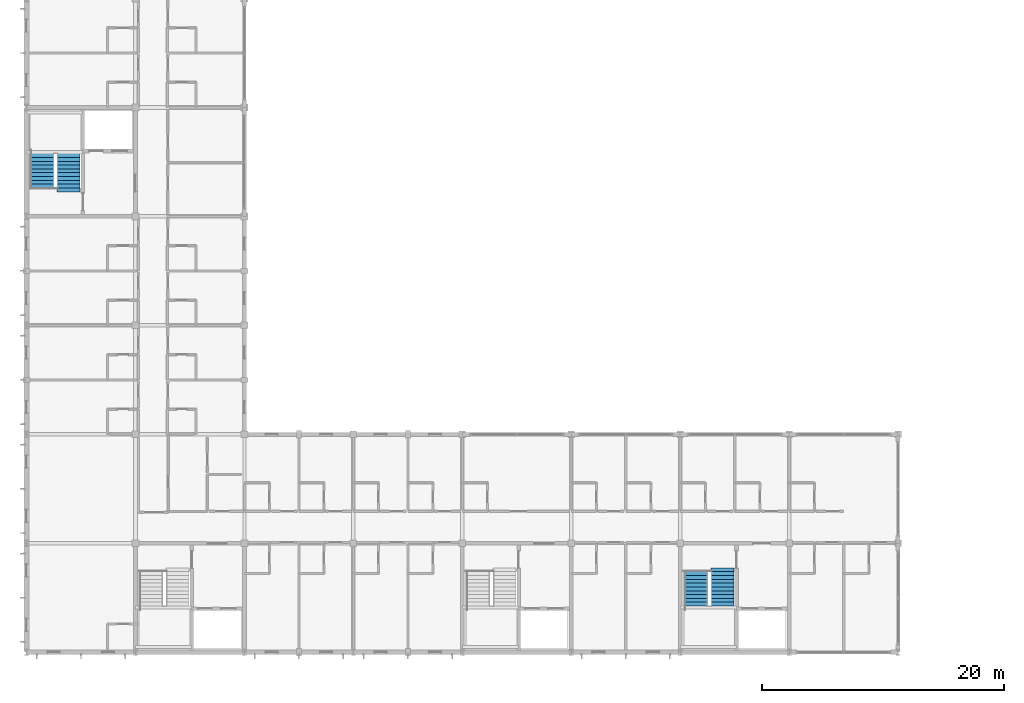
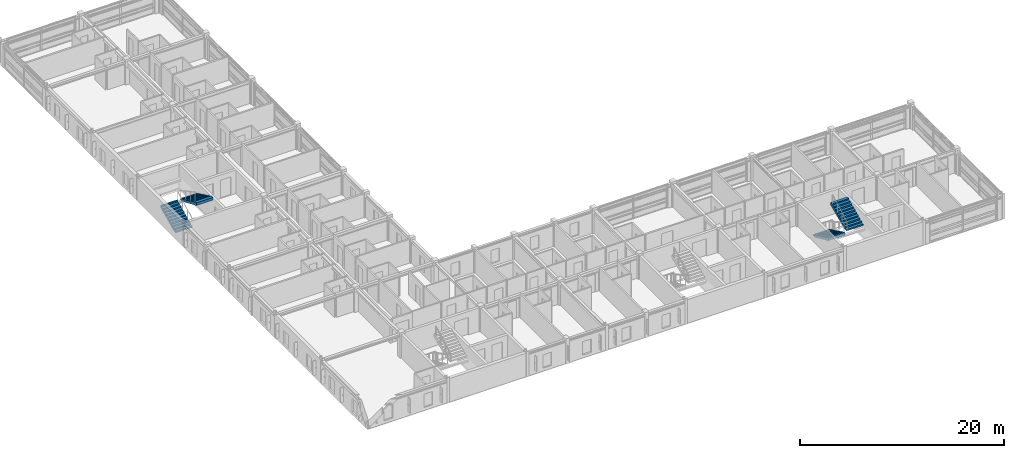
# One storey, part 23 of 30: 4 stair flights, 2 elements without a shape of their own.
"""IFC4 building model written with IfcOpenShell, lengths in metres."""

from ifc_helpers import new_model, si_unit, direction, frame, origin, place, context, subcontext, project, spatial, polyline, outline, extrude, material, type_object, element, aggregate, save


model = new_model("IFC4")

# Units and contexts
model_context = context("Model", 3, precision=1e-05, world=origin(), true_north=direction((0.0, 1.0)))
body_context = subcontext(model_context, "Body", "Model", "MODEL_VIEW")
ifc_project = project(units=[si_unit("LENGTHUNIT", "METRE"), si_unit("AREAUNIT", "SQUARE_METRE"), si_unit("VOLUMEUNIT", "CUBIC_METRE"), si_unit("PLANEANGLEUNIT", "RADIAN"), si_unit("MASSUNIT", "GRAM", prefix="KILO")], contexts=[model_context])

# Site, building, storey
site_placement = place(None, origin())
site = spatial("IfcSite", under=ifc_project, at=site_placement, CompositionType="ELEMENT")
building_placement = place(site_placement, origin())
building = spatial("IfcBuilding", under=site, at=building_placement, Name="Palais des Congres Ocreval", CompositionType="ELEMENT")
storey_placement = place(building_placement, frame((0.0, 0.0, 14.56005859375)))
storey = spatial("IfcBuildingStorey", under=building, at=storey_placement, Name="L04", CompositionType="ELEMENT", Elevation=14.56005859375)

# Stair, stair flights
ifc_material = material(Name="Concrete C40/50", Category="concrete")
stair_type = type_object("IfcStairType", Name="Hotel Core Stair L03-L06 1900 Concrete C40/50", PredefinedType="HALF_TURN_STAIR", material=ifc_material)
stair_1_placement = place(storey_placement, origin())
stair_1 = element("IfcStair", 1, at=stair_1_placement, inside=storey, type_object=stair_type, Name="Protected Core Stair ST03 L04", PredefinedType="HALF_TURN_STAIR")
stair_flight_type = type_object("IfcStairFlightType", Name="Hotel Stair Flight 10R x 152/295 W1900 Concrete C40/50", PredefinedType="STRAIGHT", material=ifc_material)
stair_flight_1_placement = place(storey_placement, frame((1.320068359375, 38.35009765625, 0.0), z_axis=(0.0, 0.0, 1.0), x_axis=(0.0, 1.0, 0.0)))
stair_flight_1 = element("IfcStairFlight", 2, at=stair_flight_1_placement, type_object=stair_flight_type, Name="Stair ST03 L04 Flight 1", NumberOfRisers=10, NumberOfTreads=9, PredefinedType="STRAIGHT", RiserHeight=0.152, TreadLength=0.315, context=body_context, shape_type="SweptSolid", body=[
    extrude(outline(polyline([(-0.006103515625, 0.0), (-0.006103515625, 0.075927734375), (0.0, 0.152099609375), (0.31494140625, 0.152099609375), (0.31494140625, 0.303955078125), (0.6298828125, 0.303955078125), (0.6298828125, 0.4560546875), (0.945068359375, 0.4560546875), (0.945068359375, 0.60791015625), (1.260009765625, 0.60791015625), (1.260009765625, 0.760009765625), (1.574951171875, 0.760009765625), (1.574951171875, 0.912109375), (1.889892578125, 0.912109375), (1.889892578125, 1.06396484375), (2.205078125, 1.06396484375), (2.205078125, 1.216064453125), (2.52001953125, 1.216064453125), (2.52001953125, 1.367919921875), (2.8349609375, 1.367919921875), (2.8349609375, 1.52001953125), (2.9951171875, 1.52001953125), (2.9951171875, 1.1904296875), (0.367919921875, 0.0), (-0.006103515625, 0.0)])), frame((0.0, 0.949951171875, 0.0), z_axis=(0.0, -1.0, 0.0), x_axis=(1.0, 0.0, 0.0)), (0.0, 0.0, 1.0), 1.89990234375),
])
stair_flight_2_placement = place(storey_placement, frame((3.47998046875, 41.18505859375, 1.52001953125), z_axis=(0.0, 0.0, 1.0), x_axis=(0.0, -1.0, 0.0)))
stair_flight_2 = element("IfcStairFlight", 3, at=stair_flight_2_placement, type_object=stair_flight_type, Name="Stair ST03 L04 Flight 2", NumberOfRisers=10, NumberOfTreads=9, PredefinedType="STRAIGHT", RiserHeight=0.152, TreadLength=0.315, context=body_context, shape_type="SweptSolid", body=[
    extrude(outline(polyline([(-0.006103515625, 0.0), (-0.006103515625, 0.075927734375), (0.0, 0.152099609375), (0.31494140625, 0.152099609375), (0.31494140625, 0.303955078125), (0.6298828125, 0.303955078125), (0.6298828125, 0.4560546875), (0.945068359375, 0.4560546875), (0.945068359375, 0.60791015625), (1.260009765625, 0.60791015625), (1.260009765625, 0.760009765625), (1.574951171875, 0.760009765625), (1.574951171875, 0.912109375), (1.889892578125, 0.912109375), (1.889892578125, 1.06396484375), (2.205078125, 1.06396484375), (2.205078125, 1.216064453125), (2.52001953125, 1.216064453125), (2.52001953125, 1.367919921875), (2.8349609375, 1.367919921875), (2.8349609375, 1.52001953125), (3.14990234375, 1.52001953125), (3.14990234375, 1.1904296875), (0.367919921875, 0.0), (-0.006103515625, 0.0)])), frame((0.0, 0.949951171875, 0.0), z_axis=(0.0, -1.0, 0.0), x_axis=(1.0, 0.0, 0.0)), (0.0, 0.0, 1.0), 1.89990234375),
])
aggregate(stair_1, [stair_flight_1, stair_flight_2])

stair_2_placement = place(storey_placement, origin())
stair_2 = element("IfcStair", 4, at=stair_2_placement, inside=storey, type_object=stair_type, Name="Protected Core Stair ST04 L04", PredefinedType="HALF_TURN_STAIR")
stair_flight_3_placement = place(storey_placement, frame((55.320068359375, 6.64990234375, 0.0), z_axis=(0.0, 0.0, 1.0), x_axis=(0.0, -1.0, 0.0)))
stair_flight_3 = element("IfcStairFlight", 5, at=stair_flight_3_placement, type_object=stair_flight_type, Name="Stair ST04 L04 Flight 1", NumberOfRisers=10, NumberOfTreads=9, PredefinedType="STRAIGHT", RiserHeight=0.152, TreadLength=0.315, context=body_context, shape_type="SweptSolid", body=[
    extrude(outline(polyline([(-0.006103515625, 0.0), (-0.006103515625, 0.075927734375), (0.0, 0.152099609375), (0.31494140625, 0.152099609375), (0.31494140625, 0.303955078125), (0.6298828125, 0.303955078125), (0.6298828125, 0.4560546875), (0.945068359375, 0.4560546875), (0.945068359375, 0.60791015625), (1.260009765625, 0.60791015625), (1.260009765625, 0.760009765625), (1.574951171875, 0.760009765625), (1.574951171875, 0.912109375), (1.889892578125, 0.912109375), (1.889892578125, 1.06396484375), (2.205078125, 1.06396484375), (2.205078125, 1.216064453125), (2.52001953125, 1.216064453125), (2.52001953125, 1.367919921875), (2.8349609375, 1.367919921875), (2.8349609375, 1.52001953125), (2.9951171875, 1.52001953125), (2.9951171875, 1.1904296875), (0.367919921875, 0.0), (-0.006103515625, 0.0)])), frame((0.0, 0.949951171875, 0.0), z_axis=(0.0, -1.0, 0.0), x_axis=(1.0, 0.0, 0.0)), (0.0, 0.0, 1.0), 1.89990234375),
])
stair_flight_4_placement = place(storey_placement, frame((57.47998046875, 3.81494140625, 1.52001953125), z_axis=(0.0, 0.0, 1.0), x_axis=(0.0, 1.0, 0.0)))
stair_flight_4 = element("IfcStairFlight", 6, at=stair_flight_4_placement, type_object=stair_flight_type, Name="Stair ST04 L04 Flight 2", NumberOfRisers=10, NumberOfTreads=9, PredefinedType="STRAIGHT", RiserHeight=0.152, TreadLength=0.315, context=body_context, shape_type="SweptSolid", body=[
    extrude(outline(polyline([(-0.006103515625, 0.0), (-0.006103515625, 0.075927734375), (0.0, 0.152099609375), (0.31494140625, 0.152099609375), (0.31494140625, 0.303955078125), (0.6298828125, 0.303955078125), (0.6298828125, 0.4560546875), (0.945068359375, 0.4560546875), (0.945068359375, 0.60791015625), (1.260009765625, 0.60791015625), (1.260009765625, 0.760009765625), (1.574951171875, 0.760009765625), (1.574951171875, 0.912109375), (1.889892578125, 0.912109375), (1.889892578125, 1.06396484375), (2.205078125, 1.06396484375), (2.205078125, 1.216064453125), (2.52001953125, 1.216064453125), (2.52001953125, 1.367919921875), (2.8349609375, 1.367919921875), (2.8349609375, 1.52001953125), (3.14990234375, 1.52001953125), (3.14990234375, 1.1904296875), (0.367919921875, 0.0), (-0.006103515625, 0.0)])), frame((0.0, 0.949951171875, 0.0), z_axis=(0.0, -1.0, 0.0), x_axis=(1.0, 0.0, 0.0)), (0.0, 0.0, 1.0), 1.89990234375),
])
aggregate(stair_2, [stair_flight_3, stair_flight_4])

save(model, "model.ifc")
